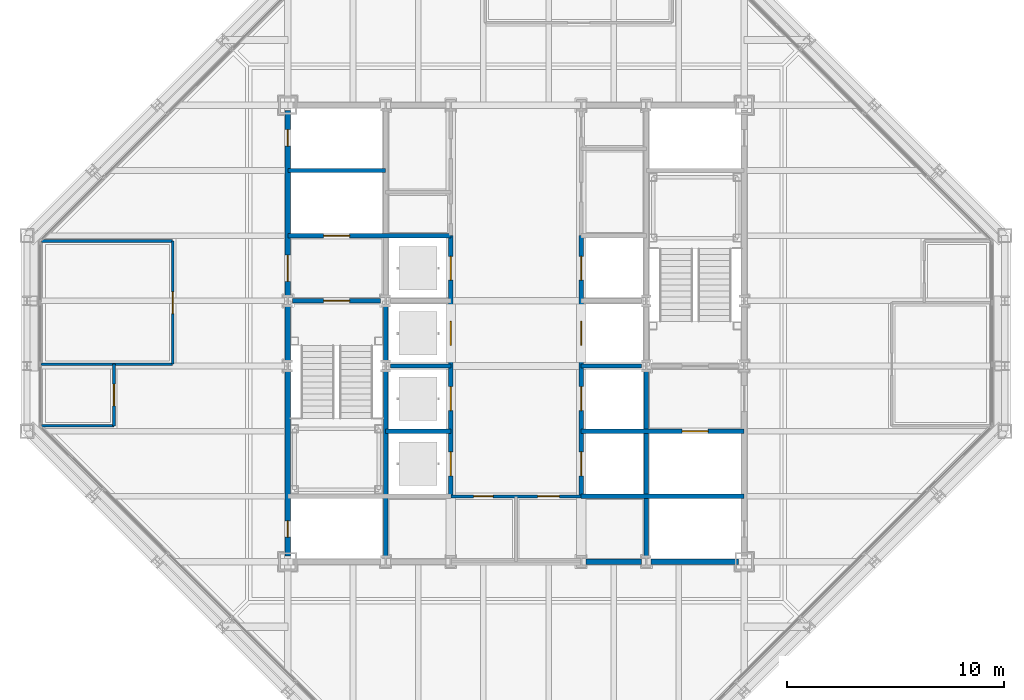
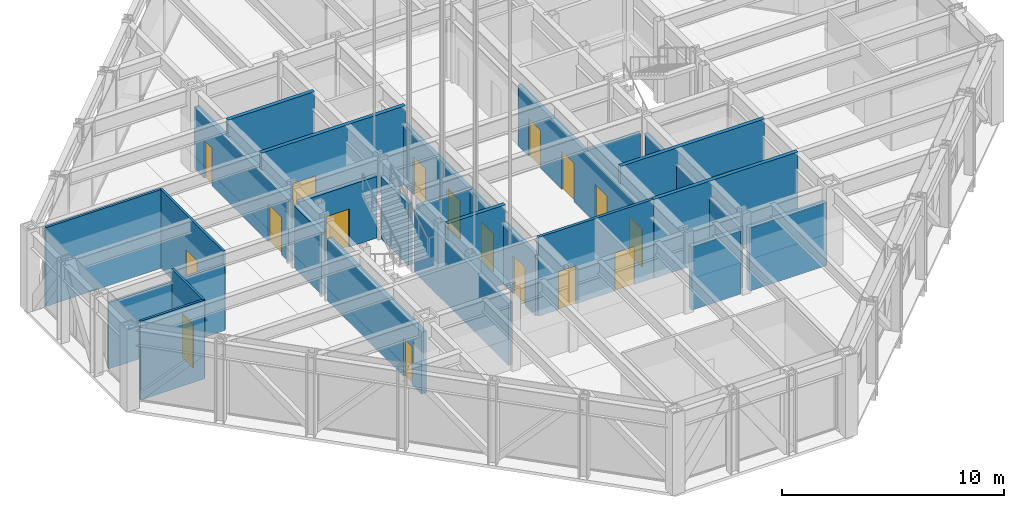
# One storey, part 10 of 24: 24 walls, 18 doors, 18 openings.
"""IFC4 building model written with IfcOpenShell, lengths in metres."""

from ifc_helpers import new_model, si_unit, direction, frame, frame_2d, origin, place, context, subcontext, project, spatial, rectangle, extrude, material, layer, layer_set, type_object, element, fill, save


model = new_model("IFC4")

# Units and contexts
model_context = context("Model", 3, precision=1e-05, world=origin(), true_north=direction((0.0, 1.0)))
body_context = subcontext(model_context, "Body", "Model", "MODEL_VIEW")
ifc_project = project(units=[si_unit("LENGTHUNIT", "METRE"), si_unit("AREAUNIT", "SQUARE_METRE"), si_unit("VOLUMEUNIT", "CUBIC_METRE"), si_unit("PLANEANGLEUNIT", "RADIAN"), si_unit("MASSUNIT", "GRAM", prefix="KILO")], contexts=[model_context])

# Site, building, storey
site_placement = place(None, origin())
site = spatial("IfcSite", under=ifc_project, at=site_placement, CompositionType="ELEMENT")
building_placement = place(site_placement, origin())
building = spatial("IfcBuilding", under=site, at=building_placement, Name="Chuquiago Exchange Tower", CompositionType="ELEMENT")
storey_placement = place(building_placement, frame((0.0, 0.0, 257.699951171875)))
storey = spatial("IfcBuildingStorey", under=building, at=storey_placement, Name="L57", CompositionType="ELEMENT", Elevation=257.699951171875)

# Wall, opening, door
ifc_material_1 = material(Name="Concrete masonry, fully grouted", Category="masonry")
ifc_layer_1 = layer(ifc_material_1, 0.25)
ifc_layer_set_1 = layer_set([ifc_layer_1], Name="W1 core wall 250")
wall_type_1 = type_object("IfcWallType", Name="W1 core wall 250", PredefinedType="SOLIDWALL", material=ifc_layer_set_1)
wall_1_placement = place(storey_placement, frame((12.0, 12.25, 0.0), z_axis=(0.0, 0.0, 1.0), x_axis=(0.0, 1.0, 0.0)))
wall_1 = element("IfcWall", 1, at=wall_1_placement, inside=storey, type_object=wall_type_1, Name="CW-L57-00-0", PredefinedType="SOLIDWALL", context=body_context, shape_type="SweptSolid", body=[
    extrude(rectangle(XDim=8.5, YDim=0.25, at=frame_2d((4.25, 0.0))), origin(), (0.0, 0.0, 1.0), 3.412841796875),
])
opening_1_placement = place(wall_1_placement, frame((0.875, 0.0, 0.0)))
opening_1 = element("IfcOpeningElement", 2, at=opening_1_placement, cuts=wall_1, Name="Opening L57-007", PredefinedType="OPENING", context=body_context, shape_type="SweptSolid", body=[
    extrude(rectangle(XDim=0.75, YDim=2.10009765625, at=frame_2d((0.375, 1.050048828125))), frame((0.0, 0.135009765625, 0.0), z_axis=(0.0, -1.0, 0.0), x_axis=(1.0, 0.0, 0.0)), (0.0, 0.0, 1.0), 0.27001953125),
])
ifc_material_2 = material(Name="Steel door, painted", Category="steel")
door_type_1 = type_object("IfcDoorType", Name="D6 riser access door 750x2100", OperationType="SINGLE_SWING_LEFT", PredefinedType="DOOR", material=ifc_material_2)
door_1_placement = place(opening_1_placement, frame((0.75, 0.0, 0.0), z_axis=(0.0, 0.0, 1.0), x_axis=(-1.0, 0.0, 0.0)))
door_1 = element("IfcDoor", 3, at=door_1_placement, inside=storey, type_object=door_type_1, Name="Riser RW1 door", OperationType="SINGLE_SWING_RIGHT", OverallHeight=2.10009765625, OverallWidth=0.75, PredefinedType="DOOR", context=body_context, shape_type="SweptSolid", body=[
    extrude(rectangle(XDim=0.75, YDim=2.10009765625, at=frame_2d((0.375, 1.050048828125))), frame((0.0, 0.02490234375, 0.0), z_axis=(0.0, -1.0, 0.0), x_axis=(1.0, 0.0, 0.0)), (0.0, 0.0, 1.0), 0.050048828125),
])
fill(opening_1, door_1)

# Wall
wall_2_placement = place(storey_placement, frame((12.0, 21.25, 0.0), z_axis=(0.0, 0.0, 1.0), x_axis=(0.0, 1.0, 0.0)))
element("IfcWall", 4, at=wall_2_placement, inside=storey, type_object=wall_type_1, Name="CW-L57-00-1", PredefinedType="SOLIDWALL", context=body_context, shape_type="SweptSolid", body=[
    extrude(rectangle(XDim=2.5, YDim=0.25, at=frame_2d((1.25, 0.0))), origin(), (0.0, 0.0, 1.0), 3.412841796875),
])

# Wall, openings, doors
wall_3_placement = place(storey_placement, frame((12.0, 24.25, 0.0), z_axis=(0.0, 0.0, 1.0), x_axis=(0.0, 1.0, 0.0)))
wall_3 = element("IfcWall", 5, at=wall_3_placement, inside=storey, type_object=wall_type_1, Name="CW-L57-00-2", PredefinedType="SOLIDWALL", context=body_context, shape_type="SweptSolid", body=[
    extrude(rectangle(XDim=8.5, YDim=0.25, at=frame_2d((4.25, 0.0))), origin(), (0.0, 0.0, 1.0), 3.412841796875),
])
opening_2_placement = place(wall_3_placement, frame((0.64990234375, 0.0, 0.0)))
opening_2 = element("IfcOpeningElement", 6, at=opening_2_placement, cuts=wall_3, Name="Opening L57-002", PredefinedType="OPENING", context=body_context, shape_type="SweptSolid", body=[
    extrude(rectangle(XDim=1.199951171875, YDim=2.10009765625, at=frame_2d((0.60009765625, 1.050048828125))), frame((0.0, 0.135009765625, 0.0), z_axis=(0.0, -1.0, 0.0), x_axis=(1.0, 0.0, 0.0)), (0.0, 0.0, 1.0), 0.27001953125),
])
opening_3_placement = place(wall_3_placement, frame((6.875, 0.0, 0.0)))
opening_3 = element("IfcOpeningElement", 7, at=opening_3_placement, cuts=wall_3, Name="Opening L57-008", PredefinedType="OPENING", context=body_context, shape_type="SweptSolid", body=[
    extrude(rectangle(XDim=0.75, YDim=2.10009765625, at=frame_2d((0.375, 1.050048828125))), frame((0.0, 0.135009765625, 0.0), z_axis=(0.0, -1.0, 0.0), x_axis=(1.0, 0.0, 0.0)), (0.0, 0.0, 1.0), 0.27001953125),
])
ifc_material_3 = material(Name="Steel door, painted", Category="steel")
door_type_2 = type_object("IfcDoorType", Name="D5 firefighting lobby door 1200x2100", OperationType="SINGLE_SWING_LEFT", PredefinedType="DOOR", material=ifc_material_3)
door_2_placement = place(opening_2_placement, frame((1.199951171875, 0.0, 0.0), z_axis=(0.0, 0.0, 1.0), x_axis=(-1.0, 0.0, 0.0)))
door_2 = element("IfcDoor", 8, at=door_2_placement, inside=storey, type_object=door_type_2, Name="Firefighting lobby 1 door", OperationType="SINGLE_SWING_RIGHT", OverallHeight=2.10009765625, OverallWidth=1.199951171875, PredefinedType="DOOR", context=body_context, shape_type="SweptSolid", body=[
    extrude(rectangle(XDim=1.199951171875, YDim=2.10009765625, at=frame_2d((0.60009765625, 1.050048828125))), frame((0.0, 0.02490234375, 0.0), z_axis=(0.0, -1.0, 0.0), x_axis=(1.0, 0.0, 0.0)), (0.0, 0.0, 1.0), 0.050048828125),
])
fill(opening_2, door_2)
door_3_placement = place(opening_3_placement, frame((0.75, 0.0, 0.0), z_axis=(0.0, 0.0, 1.0), x_axis=(-1.0, 0.0, 0.0)))
door_3 = element("IfcDoor", 9, at=door_3_placement, inside=storey, type_object=door_type_1, Name="Riser RW2 door", OperationType="SINGLE_SWING_LEFT", OverallHeight=2.10009765625, OverallWidth=0.75, PredefinedType="DOOR", context=body_context, shape_type="SweptSolid", body=[
    extrude(rectangle(XDim=0.75, YDim=2.10009765625, at=frame_2d((0.375, 1.050048828125))), frame((0.0, 0.02490234375, 0.0), z_axis=(0.0, -1.0, 0.0), x_axis=(1.0, 0.0, 0.0)), (0.0, 0.0, 1.0), 0.050048828125),
])
fill(opening_3, door_3)

# Walls
wall_4_placement = place(storey_placement, frame((25.724853515625, 12.0, 0.0), z_axis=(0.0, 0.0, 1.0), x_axis=(1.0, 0.0, 0.0)))
element("IfcWall", 10, at=wall_4_placement, inside=storey, type_object=wall_type_1, Name="CW-L57-02-0", PredefinedType="SOLIDWALL", context=body_context, shape_type="SweptSolid", body=[
    extrude(rectangle(XDim=2.55029296875, YDim=0.25, at=frame_2d((1.275146484375, 0.0))), origin(), (0.0, 0.0, 1.0), 3.4814453125),
])
wall_5_placement = place(storey_placement, frame((28.724853515625, 12.0, 0.0), z_axis=(0.0, 0.0, 1.0), x_axis=(1.0, 0.0, 0.0)))
element("IfcWall", 11, at=wall_5_placement, inside=storey, type_object=wall_type_1, Name="CW-L57-02-1", PredefinedType="SOLIDWALL", context=body_context, shape_type="SweptSolid", body=[
    extrude(rectangle(XDim=4.025146484375, YDim=0.25, at=frame_2d((2.0126953125, 0.0))), origin(), (0.0, 0.0, 1.0), 3.4814453125),
])
ifc_material_4 = material(Name="Concrete masonry, fully grouted", Category="masonry")
ifc_layer_2 = layer(ifc_material_4, 0.199951171875)
ifc_layer_set_2 = layer_set([ifc_layer_2], Name="W2 shaft wall 200")
wall_type_2 = type_object("IfcWallType", Name="W2 shaft wall 200", PredefinedType="SOLIDWALL", material=ifc_layer_set_2)
wall_6_placement = place(storey_placement, frame((25.5, 15.0, 0.0), z_axis=(0.0, 0.0, 1.0), x_axis=(1.0, 0.0, 0.0)))
element("IfcWall", 12, at=wall_6_placement, inside=storey, type_object=wall_type_2, Name="CW-L57-04-0", PredefinedType="SOLIDWALL", context=body_context, shape_type="SweptSolid", body=[
    extrude(rectangle(XDim=7.5, YDim=0.199951171875, at=frame_2d((3.75, 0.0))), origin(), (0.0, 0.0, 1.0), 4.340087890625),
])

# Wall, opening, door
wall_7_placement = place(storey_placement, frame((12.224853515625, 24.0, 0.0), z_axis=(0.0, 0.0, 1.0), x_axis=(1.0, 0.0, 0.0)))
wall_7 = element("IfcWall", 13, at=wall_7_placement, inside=storey, type_object=wall_type_2, Name="CW-L57-05-0", PredefinedType="SOLIDWALL", context=body_context, shape_type="SweptSolid", body=[
    extrude(rectangle(XDim=4.05029296875, YDim=0.199951171875, at=frame_2d((2.025146484375, 0.0))), origin(), (0.0, 0.0, 1.0), 3.39013671875),
])
opening_4_placement = place(wall_7_placement, frame((1.42529296875, 0.0, 0.0)))
opening_4 = element("IfcOpeningElement", 14, at=opening_4_placement, cuts=wall_7, Name="Opening L57-001", PredefinedType="OPENING", context=body_context, shape_type="SweptSolid", body=[
    extrude(rectangle(XDim=1.199951171875, YDim=2.10009765625, at=frame_2d((0.60009765625, 1.050048828125))), frame((0.0, 0.10986328125, 0.0), z_axis=(0.0, -1.0, 0.0), x_axis=(1.0, 0.0, 0.0)), (0.0, 0.0, 1.0), 0.219970703125),
])
ifc_material_5 = material(Name="Steel door, painted", Category="steel")
door_type_3 = type_object("IfcDoorType", Name="D4 stair door 1200x2100", OperationType="SINGLE_SWING_LEFT", PredefinedType="DOOR", material=ifc_material_5)
door_4_placement = place(opening_4_placement, frame((1.199951171875, 0.0, 0.0), z_axis=(0.0, 0.0, 1.0), x_axis=(-1.0, 0.0, 0.0)))
door_4 = element("IfcDoor", 15, at=door_4_placement, inside=storey, type_object=door_type_3, Name="Stair ST1 door", OperationType="SINGLE_SWING_RIGHT", OverallHeight=2.10009765625, OverallWidth=1.199951171875, PredefinedType="DOOR", context=body_context, shape_type="SweptSolid", body=[
    extrude(rectangle(XDim=1.199951171875, YDim=2.10009765625, at=frame_2d((0.60009765625, 1.050048828125))), frame((0.0, 0.02490234375, 0.0), z_axis=(0.0, -1.0, 0.0), x_axis=(1.0, 0.0, 0.0)), (0.0, 0.0, 1.0), 0.050048828125),
])
fill(opening_4, door_4)

wall_8_placement = place(storey_placement, frame((12.0, 27.0, 0.0), z_axis=(0.0, 0.0, 1.0), x_axis=(1.0, 0.0, 0.0)))
wall_8 = element("IfcWall", 16, at=wall_8_placement, inside=storey, type_object=wall_type_2, Name="CW-L57-07-0", PredefinedType="SOLIDWALL", context=body_context, shape_type="SweptSolid", body=[
    extrude(rectangle(XDim=7.5, YDim=0.199951171875, at=frame_2d((3.75, 0.0))), origin(), (0.0, 0.0, 1.0), 4.340087890625),
])
opening_5_placement = place(wall_8_placement, frame((1.64990234375, 0.0, 0.0)))
opening_5 = element("IfcOpeningElement", 17, at=opening_5_placement, cuts=wall_8, Name="Opening L57-005", PredefinedType="OPENING", context=body_context, shape_type="SweptSolid", body=[
    extrude(rectangle(XDim=1.199951171875, YDim=2.10009765625, at=frame_2d((0.60009765625, 1.050048828125))), frame((0.0, 0.10986328125, 0.0), z_axis=(0.0, -1.0, 0.0), x_axis=(1.0, 0.0, 0.0)), (0.0, 0.0, 1.0), 0.219970703125),
])
ifc_material_6 = material(Name="Stainless steel lift landing door", Category="steel")
door_type_4 = type_object("IfcDoorType", Name="LD2 firefighting lift landing door 1200x2100", OperationType="DOUBLE_DOOR_SLIDING", PredefinedType="DOOR", material=ifc_material_6)
door_5_placement = place(opening_5_placement, origin())
door_5 = element("IfcDoor", 18, at=door_5_placement, inside=storey, type_object=door_type_4, Name="Firefighting lift FL1 landing door", OperationType="DOUBLE_DOOR_SLIDING", OverallHeight=2.10009765625, OverallWidth=1.199951171875, PredefinedType="DOOR", context=body_context, shape_type="SweptSolid", body=[
    extrude(rectangle(XDim=1.199951171875, YDim=2.10009765625, at=frame_2d((0.60009765625, 1.050048828125))), frame((0.0, 0.02490234375, 0.0), z_axis=(0.0, -1.0, 0.0), x_axis=(1.0, 0.0, 0.0)), (0.0, 0.0, 1.0), 0.050048828125),
])
fill(opening_5, door_5)

# Walls
wall_9_placement = place(storey_placement, frame((12.0, 30.0, 0.0), z_axis=(0.0, 0.0, 1.0), x_axis=(1.0, 0.0, 0.0)))
element("IfcWall", 19, at=wall_9_placement, inside=storey, type_object=wall_type_2, Name="CW-L57-09-0", PredefinedType="SOLIDWALL", context=body_context, shape_type="SweptSolid", body=[
    extrude(rectangle(XDim=4.5, YDim=0.199951171875, at=frame_2d((2.25, 0.0))), origin(), (0.0, 0.0, 1.0), 4.340087890625),
])
wall_10_placement = place(storey_placement, frame((16.5, 12.25, 0.0), z_axis=(0.0, 0.0, 1.0), x_axis=(0.0, 1.0, 0.0)))
element("IfcWall", 20, at=wall_10_placement, inside=storey, type_object=wall_type_2, Name="CW-L57-13-0", PredefinedType="SOLIDWALL", context=body_context, shape_type="SweptSolid", body=[
    extrude(rectangle(XDim=8.5, YDim=0.199951171875, at=frame_2d((4.25, 0.0))), origin(), (0.0, 0.0, 1.0), 3.412841796875),
])
wall_11_placement = place(storey_placement, frame((16.5, 21.25, 0.0), z_axis=(0.0, 0.0, 1.0), x_axis=(0.0, 1.0, 0.0)))
element("IfcWall", 21, at=wall_11_placement, inside=storey, type_object=wall_type_2, Name="CW-L57-13-1", PredefinedType="SOLIDWALL", context=body_context, shape_type="SweptSolid", body=[
    extrude(rectangle(XDim=2.5, YDim=0.199951171875, at=frame_2d((1.25, 0.0))), origin(), (0.0, 0.0, 1.0), 3.412841796875),
])
wall_12_placement = place(storey_placement, frame((16.5, 18.0, 0.0), z_axis=(0.0, 0.0, 1.0), x_axis=(1.0, 0.0, 0.0)))
element("IfcWall", 22, at=wall_12_placement, inside=storey, type_object=wall_type_2, Name="CW-L57-14-0", PredefinedType="SOLIDWALL", context=body_context, shape_type="SweptSolid", body=[
    extrude(rectangle(XDim=3.0, YDim=0.199951171875, at=frame_2d((1.5, 0.0))), origin(), (0.0, 0.0, 1.0), 4.340087890625),
])

# Wall, opening, door
wall_13_placement = place(storey_placement, frame((25.5, 18.0, 0.0), z_axis=(0.0, 0.0, 1.0), x_axis=(1.0, 0.0, 0.0)))
wall_13 = element("IfcWall", 23, at=wall_13_placement, inside=storey, type_object=wall_type_2, Name="CW-L57-15-0", PredefinedType="SOLIDWALL", context=body_context, shape_type="SweptSolid", body=[
    extrude(rectangle(XDim=7.5, YDim=0.199951171875, at=frame_2d((3.75, 0.0))), origin(), (0.0, 0.0, 1.0), 4.340087890625),
])
opening_6_placement = place(wall_13_placement, frame((4.64990234375, 0.0, 0.0)))
opening_6 = element("IfcOpeningElement", 24, at=opening_6_placement, cuts=wall_13, Name="Opening L57-006", PredefinedType="OPENING", context=body_context, shape_type="SweptSolid", body=[
    extrude(rectangle(XDim=1.199951171875, YDim=2.10009765625, at=frame_2d((0.60009765625, 1.050048828125))), frame((0.0, 0.10986328125, 0.0), z_axis=(0.0, -1.0, 0.0), x_axis=(1.0, 0.0, 0.0)), (0.0, 0.0, 1.0), 0.219970703125),
])
door_6_placement = place(opening_6_placement, origin())
door_6 = element("IfcDoor", 25, at=door_6_placement, inside=storey, type_object=door_type_4, Name="Firefighting lift FL2 landing door", OperationType="DOUBLE_DOOR_SLIDING", OverallHeight=2.10009765625, OverallWidth=1.199951171875, PredefinedType="DOOR", context=body_context, shape_type="SweptSolid", body=[
    extrude(rectangle(XDim=1.199951171875, YDim=2.10009765625, at=frame_2d((0.60009765625, 1.050048828125))), frame((0.0, 0.02490234375, 0.0), z_axis=(0.0, -1.0, 0.0), x_axis=(1.0, 0.0, 0.0)), (0.0, 0.0, 1.0), 0.050048828125),
])
fill(opening_6, door_6)

# Walls
for number, where, z_axis, x_axis, name in (
    (26, (16.724853515625, 21.0, 0.0), (0.0, 0.0, 1.0), (1.0, 0.0, 0.0), "CW-L57-16-0"),
    (27, (25.5, 21.0, 0.0), (0.0, 0.0, 1.0), (1.0, 0.0, 0.0), "CW-L57-17-0"),
):
    element("IfcWall", number, at=place(storey_placement, frame(where, z_axis=z_axis, x_axis=x_axis)), inside=storey, type_object=wall_type_2, Name=name, PredefinedType="SOLIDWALL", context=body_context, shape_type="SweptSolid", body=[
        extrude(rectangle(XDim=2.775146484375, YDim=0.199951171875, at=frame_2d((1.3876953125, 0.0))), origin(), (0.0, 0.0, 1.0), 3.39013671875),
    ])

# Wall, openings, doors
wall_14_placement = place(storey_placement, frame((19.5, 15.0, 0.0), z_axis=(0.0, 0.0, 1.0), x_axis=(0.0, 1.0, 0.0)))
wall_14 = element("IfcWall", 28, at=wall_14_placement, inside=storey, type_object=wall_type_2, Name="CW-L57-19-0", PredefinedType="SOLIDWALL", context=body_context, shape_type="SweptSolid", body=[
    extrude(rectangle(XDim=12.0, YDim=0.199951171875, at=frame_2d((6.0, 0.0))), origin(), (0.0, 0.0, 1.0), 3.36474609375),
])
opening_7_placement = place(wall_14_placement, frame((0.949951171875, 0.0, 0.0)))
opening_7 = element("IfcOpeningElement", 29, at=opening_7_placement, cuts=wall_14, Name="Opening L57-017", PredefinedType="OPENING", context=body_context, shape_type="SweptSolid", body=[
    extrude(rectangle(XDim=1.10009765625, YDim=2.10009765625, at=frame_2d((0.550048828125, 1.050048828125))), frame((0.0, 0.10986328125, 0.0), z_axis=(0.0, -1.0, 0.0), x_axis=(1.0, 0.0, 0.0)), (0.0, 0.0, 1.0), 0.219970703125),
])
opening_8_placement = place(wall_14_placement, frame((3.949951171875, 0.0, 0.0)))
opening_8 = element("IfcOpeningElement", 30, at=opening_8_placement, cuts=wall_14, Name="Opening L57-019", PredefinedType="OPENING", context=body_context, shape_type="SweptSolid", body=[
    extrude(rectangle(XDim=1.10009765625, YDim=2.10009765625, at=frame_2d((0.550048828125, 1.050048828125))), frame((0.0, 0.10986328125, 0.0), z_axis=(0.0, -1.0, 0.0), x_axis=(1.0, 0.0, 0.0)), (0.0, 0.0, 1.0), 0.219970703125),
])
opening_9_placement = place(wall_14_placement, frame((6.949951171875, 0.0, 0.0)))
opening_9 = element("IfcOpeningElement", 31, at=opening_9_placement, cuts=wall_14, Name="Opening L57-021", PredefinedType="OPENING", context=body_context, shape_type="SweptSolid", body=[
    extrude(rectangle(XDim=1.10009765625, YDim=2.10009765625, at=frame_2d((0.550048828125, 1.050048828125))), frame((0.0, 0.10986328125, 0.0), z_axis=(0.0, -1.0, 0.0), x_axis=(1.0, 0.0, 0.0)), (0.0, 0.0, 1.0), 0.219970703125),
])
opening_10_placement = place(wall_14_placement, frame((9.949951171875, 0.0, 0.0)))
opening_10 = element("IfcOpeningElement", 32, at=opening_10_placement, cuts=wall_14, Name="Opening L57-023", PredefinedType="OPENING", context=body_context, shape_type="SweptSolid", body=[
    extrude(rectangle(XDim=1.10009765625, YDim=2.10009765625, at=frame_2d((0.550048828125, 1.050048828125))), frame((0.0, 0.10986328125, 0.0), z_axis=(0.0, -1.0, 0.0), x_axis=(1.0, 0.0, 0.0)), (0.0, 0.0, 1.0), 0.219970703125),
])
ifc_material_7 = material(Name="Stainless steel lift landing door", Category="steel")
door_type_5 = type_object("IfcDoorType", Name="LD1 lift landing door 1100x2100", OperationType="DOUBLE_DOOR_SLIDING", PredefinedType="DOOR", material=ifc_material_7)
door_7_placement = place(opening_7_placement, origin())
door_7 = element("IfcDoor", 33, at=door_7_placement, inside=storey, type_object=door_type_5, Name="Lift LD1 landing door", OperationType="DOUBLE_DOOR_SLIDING", OverallHeight=2.10009765625, OverallWidth=1.10009765625, PredefinedType="DOOR", context=body_context, shape_type="SweptSolid", body=[
    extrude(rectangle(XDim=1.10009765625, YDim=2.10009765625, at=frame_2d((0.550048828125, 1.050048828125))), frame((0.0, 0.02490234375, 0.0), z_axis=(0.0, -1.0, 0.0), x_axis=(1.0, 0.0, 0.0)), (0.0, 0.0, 1.0), 0.050048828125),
])
fill(opening_7, door_7)
door_8_placement = place(opening_8_placement, origin())
door_8 = element("IfcDoor", 34, at=door_8_placement, inside=storey, type_object=door_type_5, Name="Lift LD2 landing door", OperationType="DOUBLE_DOOR_SLIDING", OverallHeight=2.10009765625, OverallWidth=1.10009765625, PredefinedType="DOOR", context=body_context, shape_type="SweptSolid", body=[
    extrude(rectangle(XDim=1.10009765625, YDim=2.10009765625, at=frame_2d((0.550048828125, 1.050048828125))), frame((0.0, 0.02490234375, 0.0), z_axis=(0.0, -1.0, 0.0), x_axis=(1.0, 0.0, 0.0)), (0.0, 0.0, 1.0), 0.050048828125),
])
fill(opening_8, door_8)
door_9_placement = place(opening_9_placement, origin())
door_9 = element("IfcDoor", 35, at=door_9_placement, inside=storey, type_object=door_type_5, Name="Lift LD3 landing door", OperationType="DOUBLE_DOOR_SLIDING", OverallHeight=2.10009765625, OverallWidth=1.10009765625, PredefinedType="DOOR", context=body_context, shape_type="SweptSolid", body=[
    extrude(rectangle(XDim=1.10009765625, YDim=2.10009765625, at=frame_2d((0.550048828125, 1.050048828125))), frame((0.0, 0.02490234375, 0.0), z_axis=(0.0, -1.0, 0.0), x_axis=(1.0, 0.0, 0.0)), (0.0, 0.0, 1.0), 0.050048828125),
])
fill(opening_9, door_9)
door_10_placement = place(opening_10_placement, origin())
door_10 = element("IfcDoor", 36, at=door_10_placement, inside=storey, type_object=door_type_5, Name="Lift LD4 landing door", OperationType="DOUBLE_DOOR_SLIDING", OverallHeight=2.10009765625, OverallWidth=1.10009765625, PredefinedType="DOOR", context=body_context, shape_type="SweptSolid", body=[
    extrude(rectangle(XDim=1.10009765625, YDim=2.10009765625, at=frame_2d((0.550048828125, 1.050048828125))), frame((0.0, 0.02490234375, 0.0), z_axis=(0.0, -1.0, 0.0), x_axis=(1.0, 0.0, 0.0)), (0.0, 0.0, 1.0), 0.050048828125),
])
fill(opening_10, door_10)

wall_15_placement = place(storey_placement, frame((25.5, 15.0, 0.0), z_axis=(0.0, 0.0, 1.0), x_axis=(0.0, 1.0, 0.0)))
wall_15 = element("IfcWall", 37, at=wall_15_placement, inside=storey, type_object=wall_type_2, Name="CW-L57-22-0", PredefinedType="SOLIDWALL", context=body_context, shape_type="SweptSolid", body=[
    extrude(rectangle(XDim=12.0, YDim=0.199951171875, at=frame_2d((6.0, 0.0))), origin(), (0.0, 0.0, 1.0), 3.36474609375),
])
opening_11_placement = place(wall_15_placement, frame((0.949951171875, 0.0, 0.0)))
opening_11 = element("IfcOpeningElement", 38, at=opening_11_placement, cuts=wall_15, Name="Opening L57-018", PredefinedType="OPENING", context=body_context, shape_type="SweptSolid", body=[
    extrude(rectangle(XDim=1.10009765625, YDim=2.10009765625, at=frame_2d((0.550048828125, 1.050048828125))), frame((0.0, 0.10986328125, 0.0), z_axis=(0.0, -1.0, 0.0), x_axis=(1.0, 0.0, 0.0)), (0.0, 0.0, 1.0), 0.219970703125),
])
opening_12_placement = place(wall_15_placement, frame((3.949951171875, 0.0, 0.0)))
opening_12 = element("IfcOpeningElement", 39, at=opening_12_placement, cuts=wall_15, Name="Opening L57-020", PredefinedType="OPENING", context=body_context, shape_type="SweptSolid", body=[
    extrude(rectangle(XDim=1.10009765625, YDim=2.10009765625, at=frame_2d((0.550048828125, 1.050048828125))), frame((0.0, 0.10986328125, 0.0), z_axis=(0.0, -1.0, 0.0), x_axis=(1.0, 0.0, 0.0)), (0.0, 0.0, 1.0), 0.219970703125),
])
opening_13_placement = place(wall_15_placement, frame((6.949951171875, 0.0, 0.0)))
opening_13 = element("IfcOpeningElement", 40, at=opening_13_placement, cuts=wall_15, Name="Opening L57-022", PredefinedType="OPENING", context=body_context, shape_type="SweptSolid", body=[
    extrude(rectangle(XDim=1.10009765625, YDim=2.10009765625, at=frame_2d((0.550048828125, 1.050048828125))), frame((0.0, 0.10986328125, 0.0), z_axis=(0.0, -1.0, 0.0), x_axis=(1.0, 0.0, 0.0)), (0.0, 0.0, 1.0), 0.219970703125),
])
opening_14_placement = place(wall_15_placement, frame((9.949951171875, 0.0, 0.0)))
opening_14 = element("IfcOpeningElement", 41, at=opening_14_placement, cuts=wall_15, Name="Opening L57-024", PredefinedType="OPENING", context=body_context, shape_type="SweptSolid", body=[
    extrude(rectangle(XDim=1.10009765625, YDim=2.10009765625, at=frame_2d((0.550048828125, 1.050048828125))), frame((0.0, 0.10986328125, 0.0), z_axis=(0.0, -1.0, 0.0), x_axis=(1.0, 0.0, 0.0)), (0.0, 0.0, 1.0), 0.219970703125),
])
door_11_placement = place(opening_11_placement, origin())
door_11 = element("IfcDoor", 42, at=door_11_placement, inside=storey, type_object=door_type_5, Name="Lift LS1 landing door", OperationType="DOUBLE_DOOR_SLIDING", OverallHeight=2.10009765625, OverallWidth=1.10009765625, PredefinedType="DOOR", context=body_context, shape_type="SweptSolid", body=[
    extrude(rectangle(XDim=1.10009765625, YDim=2.10009765625, at=frame_2d((0.550048828125, 1.050048828125))), frame((0.0, 0.02490234375, 0.0), z_axis=(0.0, -1.0, 0.0), x_axis=(1.0, 0.0, 0.0)), (0.0, 0.0, 1.0), 0.050048828125),
])
fill(opening_11, door_11)
door_12_placement = place(opening_12_placement, origin())
door_12 = element("IfcDoor", 43, at=door_12_placement, inside=storey, type_object=door_type_5, Name="Lift LS2 landing door", OperationType="DOUBLE_DOOR_SLIDING", OverallHeight=2.10009765625, OverallWidth=1.10009765625, PredefinedType="DOOR", context=body_context, shape_type="SweptSolid", body=[
    extrude(rectangle(XDim=1.10009765625, YDim=2.10009765625, at=frame_2d((0.550048828125, 1.050048828125))), frame((0.0, 0.02490234375, 0.0), z_axis=(0.0, -1.0, 0.0), x_axis=(1.0, 0.0, 0.0)), (0.0, 0.0, 1.0), 0.050048828125),
])
fill(opening_12, door_12)
door_13_placement = place(opening_13_placement, origin())
door_13 = element("IfcDoor", 44, at=door_13_placement, inside=storey, type_object=door_type_5, Name="Lift LS3 landing door", OperationType="DOUBLE_DOOR_SLIDING", OverallHeight=2.10009765625, OverallWidth=1.10009765625, PredefinedType="DOOR", context=body_context, shape_type="SweptSolid", body=[
    extrude(rectangle(XDim=1.10009765625, YDim=2.10009765625, at=frame_2d((0.550048828125, 1.050048828125))), frame((0.0, 0.02490234375, 0.0), z_axis=(0.0, -1.0, 0.0), x_axis=(1.0, 0.0, 0.0)), (0.0, 0.0, 1.0), 0.050048828125),
])
fill(opening_13, door_13)
door_14_placement = place(opening_14_placement, origin())
door_14 = element("IfcDoor", 45, at=door_14_placement, inside=storey, type_object=door_type_5, Name="Lift LS4 landing door", OperationType="DOUBLE_DOOR_SLIDING", OverallHeight=2.10009765625, OverallWidth=1.10009765625, PredefinedType="DOOR", context=body_context, shape_type="SweptSolid", body=[
    extrude(rectangle(XDim=1.10009765625, YDim=2.10009765625, at=frame_2d((0.550048828125, 1.050048828125))), frame((0.0, 0.02490234375, 0.0), z_axis=(0.0, -1.0, 0.0), x_axis=(1.0, 0.0, 0.0)), (0.0, 0.0, 1.0), 0.050048828125),
])
fill(opening_14, door_14)

# Wall
wall_16_placement = place(storey_placement, frame((28.5, 12.25, 0.0), z_axis=(0.0, 0.0, 1.0), x_axis=(0.0, 1.0, 0.0)))
element("IfcWall", 46, at=wall_16_placement, inside=storey, type_object=wall_type_2, Name="CW-L57-24-0", PredefinedType="SOLIDWALL", context=body_context, shape_type="SweptSolid", body=[
    extrude(rectangle(XDim=8.5, YDim=0.199951171875, at=frame_2d((4.25, 0.0))), origin(), (0.0, 0.0, 1.0), 3.412841796875),
])

# Wall, openings, doors
ifc_material_8 = material(Name="Gypsum board on steel studs", Category="steel")
ifc_layer_3 = layer(ifc_material_8, 0.14990234375)
ifc_layer_set_3 = layer_set([ifc_layer_3], Name="W3 core partition 150")
wall_type_3 = type_object("IfcWallType", Name="W3 core partition 150", PredefinedType="PARTITIONING", material=ifc_layer_set_3)
wall_17_placement = place(storey_placement, frame((19.5, 15.0, 0.0), z_axis=(0.0, 0.0, 1.0), x_axis=(1.0, 0.0, 0.0)))
wall_17 = element("IfcWall", 47, at=wall_17_placement, inside=storey, type_object=wall_type_3, Name="CW-L57-TF", PredefinedType="PARTITIONING", context=body_context, shape_type="SweptSolid", body=[
    extrude(rectangle(XDim=6.0, YDim=0.14990234375, at=frame_2d((3.0, 0.0))), origin(), (0.0, 0.0, 1.0), 4.340087890625),
])
opening_15_placement = place(wall_17_placement, frame((4.0, 0.0, 0.0)))
opening_15 = element("IfcOpeningElement", 48, at=opening_15_placement, cuts=wall_17, Name="Opening L57-015", PredefinedType="OPENING", context=body_context, shape_type="SweptSolid", body=[
    extrude(rectangle(XDim=1.0, YDim=2.10009765625, at=frame_2d((0.5, 1.050048828125))), frame((0.0, 0.0849609375, 0.0), z_axis=(0.0, -1.0, 0.0), x_axis=(1.0, 0.0, 0.0)), (0.0, 0.0, 1.0), 0.169921875),
])
opening_16_placement = place(wall_17_placement, frame((1.050048828125, 0.0, 0.0)))
opening_16 = element("IfcOpeningElement", 49, at=opening_16_placement, cuts=wall_17, Name="Opening L57-016", PredefinedType="OPENING", context=body_context, shape_type="SweptSolid", body=[
    extrude(rectangle(XDim=0.89990234375, YDim=2.10009765625, at=frame_2d((0.449951171875, 1.050048828125))), frame((0.0, 0.0849609375, 0.0), z_axis=(0.0, -1.0, 0.0), x_axis=(1.0, 0.0, 0.0)), (0.0, 0.0, 1.0), 0.169921875),
])
ifc_material_9 = material(Name="Timber door, laminate faced", Category="wood")
door_type_6 = type_object("IfcDoorType", Name="D7 toilet door 900x2100", OperationType="SINGLE_SWING_LEFT", PredefinedType="DOOR", material=ifc_material_9)
door_15_placement = place(opening_16_placement, origin())
door_15 = element("IfcDoor", 50, at=door_15_placement, inside=storey, type_object=door_type_6, Name="Cleaner door", OperationType="SINGLE_SWING_LEFT", OverallHeight=2.10009765625, OverallWidth=0.89990234375, PredefinedType="DOOR", context=body_context, shape_type="SweptSolid", body=[
    extrude(rectangle(XDim=0.89990234375, YDim=2.10009765625, at=frame_2d((0.449951171875, 1.050048828125))), frame((0.0, 0.02490234375, 0.0), z_axis=(0.0, -1.0, 0.0), x_axis=(1.0, 0.0, 0.0)), (0.0, 0.0, 1.0), 0.050048828125),
])
fill(opening_16, door_15)
ifc_material_10 = material(Name="Timber door, laminate faced", Category="wood")
door_type_7 = type_object("IfcDoorType", Name="D8 accessible toilet door 1000x2100", OperationType="SLIDING_TO_LEFT", PredefinedType="DOOR", material=ifc_material_10)
door_16_placement = place(opening_15_placement, origin())
door_16 = element("IfcDoor", 51, at=door_16_placement, inside=storey, type_object=door_type_7, Name="Accessible WC door", OperationType="SLIDING_TO_LEFT", OverallHeight=2.10009765625, OverallWidth=1.0, PredefinedType="DOOR", context=body_context, shape_type="SweptSolid", body=[
    extrude(rectangle(XDim=1.0, YDim=2.10009765625, at=frame_2d((0.5, 1.050048828125))), frame((0.0, 0.02490234375, 0.0), z_axis=(0.0, -1.0, 0.0), x_axis=(1.0, 0.0, 0.0)), (0.0, 0.0, 1.0), 0.050048828125),
])
fill(opening_15, door_16)

# Walls
ifc_material_11 = material(Name="Gypsum board on steel studs", Category="steel")
ifc_layer_4 = layer(ifc_material_11, 0.1201171875)
ifc_layer_set_4 = layer_set([ifc_layer_4], Name="W4 partition 120")
wall_type_4 = type_object("IfcWallType", Name="W4 partition 120", PredefinedType="PARTITIONING", material=ifc_layer_set_4)
wall_18_placement = place(storey_placement, frame((0.666015625, 18.24853515625, 0.0), z_axis=(0.0, 0.0, 1.0), x_axis=(1.0, 0.0, 0.0)))
element("IfcWall", 52, at=wall_18_placement, inside=storey, type_object=wall_type_4, Name="PW-L57-W01825", PredefinedType="PARTITIONING", context=body_context, shape_type="SweptSolid", body=[
    extrude(rectangle(XDim=3.333984375, YDim=0.1201171875, at=frame_2d((1.6669921875, 0.0))), origin(), (0.0, 0.0, 1.0), 4.340087890625),
])
wall_19_placement = place(storey_placement, frame((0.652587890625, 21.082763671875, 0.0), z_axis=(0.0, 0.0, 1.0), x_axis=(1.0, 0.0, 0.0)))
element("IfcWall", 53, at=wall_19_placement, inside=storey, type_object=wall_type_4, Name="PW-L57-W02108", PredefinedType="PARTITIONING", context=body_context, shape_type="SweptSolid", body=[
    extrude(rectangle(XDim=6.04736328125, YDim=0.1201171875, at=frame_2d((3.023681640625, 0.0))), origin(), (0.0, 0.0, 1.0), 3.646728515625),
])
wall_20_placement = place(storey_placement, frame((0.666015625, 26.75146484375, 0.0), z_axis=(0.0, 0.0, 1.0), x_axis=(1.0, 0.0, 0.0)))
element("IfcWall", 54, at=wall_20_placement, inside=storey, type_object=wall_type_4, Name="PW-L57-W02675", PredefinedType="PARTITIONING", context=body_context, shape_type="SweptSolid", body=[
    extrude(rectangle(XDim=6.033935546875, YDim=0.1201171875, at=frame_2d((3.01708984375, 0.0))), origin(), (0.0, 0.0, 1.0), 4.340087890625),
])

# Wall, opening, door
wall_21_placement = place(storey_placement, frame((4.0, 18.24853515625, 0.0), z_axis=(0.0, 0.0, 1.0), x_axis=(0.0, 1.0, 0.0)))
wall_21 = element("IfcWall", 55, at=wall_21_placement, inside=storey, type_object=wall_type_4, Name="PW-L57-WF01825", PredefinedType="PARTITIONING", context=body_context, shape_type="SweptSolid", body=[
    extrude(rectangle(XDim=2.834228515625, YDim=0.1201171875, at=frame_2d((1.4169921875, 0.0))), origin(), (0.0, 0.0, 1.0), 4.340087890625),
])
opening_17_placement = place(wall_21_placement, frame((0.9169921875, 0.0, 0.0)))
opening_17 = element("IfcOpeningElement", 56, at=opening_17_placement, cuts=wall_21, Name="Opening L57-029", PredefinedType="OPENING", context=body_context, shape_type="SweptSolid", body=[
    extrude(rectangle(XDim=1.0, YDim=2.39990234375, at=frame_2d((0.5, 1.199951171875))), frame((0.0, 0.070068359375, 0.0), z_axis=(0.0, -1.0, 0.0), x_axis=(1.0, 0.0, 0.0)), (0.0, 0.0, 1.0), 0.14013671875),
])
ifc_material_12 = material(Name="Timber door, laminate faced", Category="wood")
door_type_8 = type_object("IfcDoorType", Name="D9 room door 1000x2400", OperationType="SINGLE_SWING_LEFT", PredefinedType="DOOR", material=ifc_material_12)
door_17_placement = place(opening_17_placement, origin())
door_17 = element("IfcDoor", 57, at=door_17_placement, inside=storey, type_object=door_type_8, Name="Pantry door", OperationType="SINGLE_SWING_LEFT", OverallHeight=2.39990234375, OverallWidth=1.0, PredefinedType="DOOR", context=body_context, shape_type="SweptSolid", body=[
    extrude(rectangle(XDim=1.0, YDim=2.39990234375, at=frame_2d((0.5, 1.199951171875))), frame((0.0, 0.02490234375, 0.0), z_axis=(0.0, -1.0, 0.0), x_axis=(1.0, 0.0, 0.0)), (0.0, 0.0, 1.0), 0.050048828125),
])
fill(opening_17, door_17)

wall_22_placement = place(storey_placement, frame((6.699951171875, 21.082763671875, 0.0), z_axis=(0.0, 0.0, 1.0), x_axis=(0.0, 1.0, 0.0)))
wall_22 = element("IfcWall", 58, at=wall_22_placement, inside=storey, type_object=wall_type_4, Name="PW-L57-WF02108", PredefinedType="PARTITIONING", context=body_context, shape_type="SweptSolid", body=[
    extrude(rectangle(XDim=5.668701171875, YDim=0.1201171875, at=frame_2d((2.83447265625, 0.0))), origin(), (0.0, 0.0, 1.0), 4.340087890625),
])
opening_18_placement = place(wall_22_placement, frame((2.33447265625, 0.0, 0.0)))
opening_18 = element("IfcOpeningElement", 59, at=opening_18_placement, cuts=wall_22, Name="Opening L57-030", PredefinedType="OPENING", context=body_context, shape_type="SweptSolid", body=[
    extrude(rectangle(XDim=1.0, YDim=2.39990234375, at=frame_2d((0.5, 1.199951171875))), frame((0.0, 0.070068359375, 0.0), z_axis=(0.0, -1.0, 0.0), x_axis=(1.0, 0.0, 0.0)), (0.0, 0.0, 1.0), 0.14013671875),
])
ifc_material_13 = material(Name="Timber frame door, full height glazed panel", Category="wood")
door_type_9 = type_object("IfcDoorType", Name="D14 glazed meeting room door 1000x2400", OperationType="SINGLE_SWING_LEFT", PredefinedType="DOOR", material=ifc_material_13)
door_18_placement = place(opening_18_placement, origin())
door_18 = element("IfcDoor", 60, at=door_18_placement, inside=storey, type_object=door_type_9, Name="Conference room door", OperationType="SINGLE_SWING_RIGHT", OverallHeight=2.39990234375, OverallWidth=1.0, PredefinedType="DOOR", context=body_context, shape_type="SweptSolid", body=[
    extrude(rectangle(XDim=1.0, YDim=2.39990234375, at=frame_2d((0.5, 1.199951171875))), frame((0.0, 0.02490234375, 0.0), z_axis=(0.0, -1.0, 0.0), x_axis=(1.0, 0.0, 0.0)), (0.0, 0.0, 1.0), 0.050048828125),
])
fill(opening_18, door_18)

save(model, "model.ifc")
